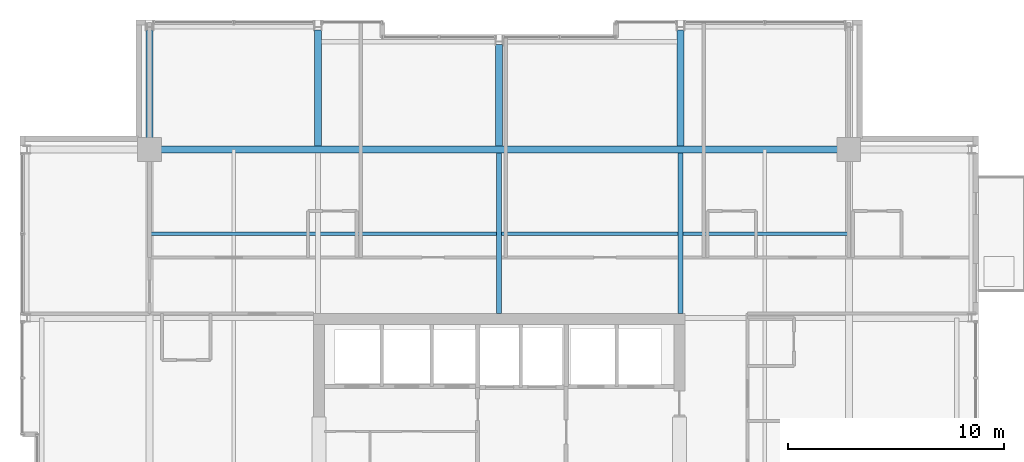
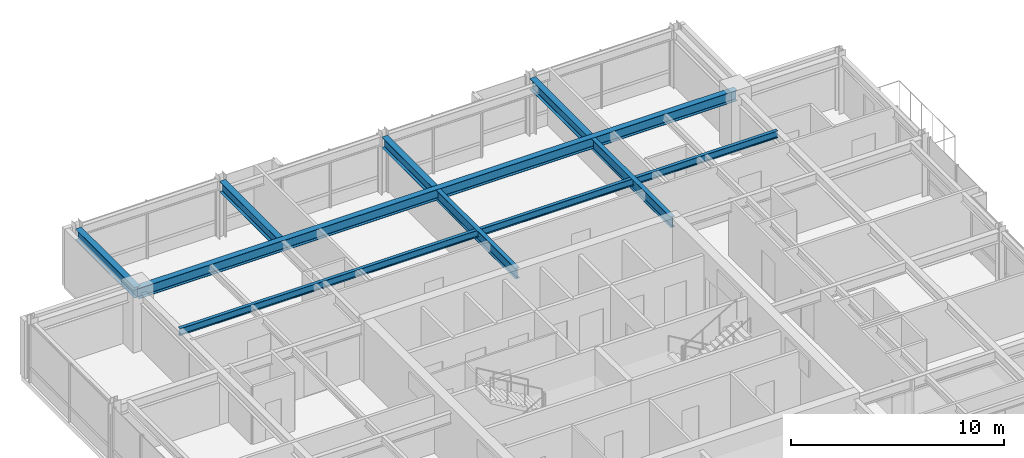
# One storey, part 21 of 34: 8 beams.
"""IFC4 building model written with IfcOpenShell, lengths in metres."""

from ifc_helpers import new_model, si_unit, direction, frame, origin, origin_2d, place, context, subcontext, project, spatial, i_section, extrude, material, material_profile, profile_set, type_object, element, save


model = new_model("IFC4")

# Units and contexts
model_context = context("Model", 3, precision=1e-05, world=origin(), true_north=direction((0.0, 1.0)))
body_context = subcontext(model_context, "Body", "Model", "MODEL_VIEW")
ifc_project = project(units=[si_unit("LENGTHUNIT", "METRE"), si_unit("AREAUNIT", "SQUARE_METRE"), si_unit("VOLUMEUNIT", "CUBIC_METRE"), si_unit("PLANEANGLEUNIT", "RADIAN"), si_unit("MASSUNIT", "GRAM", prefix="KILO")], contexts=[model_context])

# Site, building, storey
site_placement = place(None, origin())
site = spatial("IfcSite", under=ifc_project, at=site_placement, CompositionType="ELEMENT")
building_placement = place(site_placement, origin())
building = spatial("IfcBuilding", under=site, at=building_placement, Name="Drelvath Grand Hotel", CompositionType="ELEMENT")
storey_placement = place(building_placement, frame((0.0, 0.0, 251.89990234375)))
storey = spatial("IfcBuildingStorey", under=building, at=storey_placement, Name="L66", CompositionType="ELEMENT", Elevation=251.89990234375)

# Beams
ifc_material = material(Name="Steel ASTM A992 Gr 50", Category="steel")
ifc_material_profile_1 = material_profile(ifc_material, i_section(OverallWidth=0.177734375, OverallDepth=0.40673828125, WebThickness=0.0078125, FlangeThickness=0.0126953125, FilletRadius=0.014892578125, at=origin_2d()), Name="W16X40")
ifc_profile_set_1 = profile_set([ifc_material_profile_1], Name="Steel ASTM A992 Gr 50")
beam_type_1 = type_object("IfcBeamType", Name="Composite Floor Joist W16X40", PredefinedType="JOIST", material=ifc_profile_set_1)
beam_1_placement = place(storey_placement, frame((-16.199951171875, 39.300048828125, 3.0966796875), z_axis=(1.0, 0.0, 0.0), x_axis=(0.0, 1.0, 0.0)))
element("IfcBeam", 1, at=beam_1_placement, inside=storey, type_object=beam_type_1, Name="L66 Floor Joist J2", PredefinedType="JOIST", context=body_context, shape_type="SweptSolid", body=[
    extrude(i_section(OverallWidth=0.177734375, OverallDepth=0.40673828125, WebThickness=0.0078125, FlangeThickness=0.0126953125, FilletRadius=0.014892578125, at=origin_2d()), origin(), (0.0, 0.0, 1.0), 32.39990234375),
])
ifc_material_profile_2 = material_profile(ifc_material, i_section(OverallWidth=0.323974609375, OverallDepth=0.611083984375, WebThickness=0.0126953125, FlangeThickness=0.01904296875, FilletRadius=0.02197265625, at=origin_2d()), Name="W24X104")
ifc_profile_set_2 = profile_set([ifc_material_profile_2], Name="Steel ASTM A992 Gr 50")
beam_type_2 = type_object("IfcBeamType", Name="Primary Floor Girder W24X104", PredefinedType="BEAM", material=ifc_profile_set_2)
beam_2_placement = place(storey_placement, frame((-16.199951171875, 43.199951171875, 2.994384765625), z_axis=(1.0, 0.0, 0.0), x_axis=(0.0, 1.0, 0.0)))
element("IfcBeam", 2, at=beam_2_placement, inside=storey, type_object=beam_type_2, Name="L66 Mega Ring Girder North", PredefinedType="BEAM", context=body_context, shape_type="SweptSolid", body=[
    extrude(i_section(OverallWidth=0.323974609375, OverallDepth=0.611083984375, WebThickness=0.0126953125, FlangeThickness=0.01904296875, FilletRadius=0.02197265625, at=origin_2d()), origin(), (0.0, 0.0, 1.0), 32.39990234375),
])
beam_3_placement = place(storey_placement, frame((-16.199951171875, 43.199951171875, 2.994384765625), z_axis=(0.0, 1.0, 0.0), x_axis=(-1.0, 0.0, 0.0)))
element("IfcBeam", 3, at=beam_3_placement, inside=storey, type_object=beam_type_2, Name="L66 North Grid Girder 3", PredefinedType="BEAM", context=body_context, shape_type="SweptSolid", body=[
    extrude(i_section(OverallWidth=0.323974609375, OverallDepth=0.611083984375, WebThickness=0.0126953125, FlangeThickness=0.01904296875, FilletRadius=0.02197265625, at=origin_2d()), origin(), (0.0, 0.0, 1.0), 5.5400390625),
])
beam_4_placement = place(storey_placement, frame((-8.39990234375, 43.362060546875, 2.994384765625), z_axis=(0.0, 1.0, 0.0), x_axis=(-1.0, 0.0, 0.0)))
element("IfcBeam", 4, at=beam_4_placement, inside=storey, type_object=beam_type_2, Name="L66 North Wing Girder 4", PredefinedType="BEAM", context=body_context, shape_type="SweptSolid", body=[
    extrude(i_section(OverallWidth=0.323974609375, OverallDepth=0.611083984375, WebThickness=0.0126953125, FlangeThickness=0.01904296875, FilletRadius=0.02197265625, at=origin_2d()), origin(), (0.0, 0.0, 1.0), 5.3779296875),
])
beam_5_placement = place(storey_placement, frame((0.0, 43.362060546875, 2.994384765625), z_axis=(0.0, 1.0, 0.0), x_axis=(-1.0, 0.0, 0.0)))
element("IfcBeam", 5, at=beam_5_placement, inside=storey, type_object=beam_type_2, Name="L66 North Wing Girder 5", PredefinedType="BEAM", context=body_context, shape_type="SweptSolid", body=[
    extrude(i_section(OverallWidth=0.323974609375, OverallDepth=0.611083984375, WebThickness=0.0126953125, FlangeThickness=0.01904296875, FilletRadius=0.02197265625, at=origin_2d()), origin(), (0.0, 0.0, 1.0), 4.697998046875),
])
beam_6_placement = place(storey_placement, frame((8.39990234375, 43.362060546875, 2.994384765625), z_axis=(0.0, 1.0, 0.0), x_axis=(-1.0, 0.0, 0.0)))
element("IfcBeam", 6, at=beam_6_placement, inside=storey, type_object=beam_type_2, Name="L66 North Wing Girder 6", PredefinedType="BEAM", context=body_context, shape_type="SweptSolid", body=[
    extrude(i_section(OverallWidth=0.323974609375, OverallDepth=0.611083984375, WebThickness=0.0126953125, FlangeThickness=0.01904296875, FilletRadius=0.02197265625, at=origin_2d()), origin(), (0.0, 0.0, 1.0), 5.3779296875),
])
ifc_material_profile_3 = material_profile(ifc_material, i_section(OverallWidth=0.228271484375, OverallDepth=0.607666015625, WebThickness=0.01123046875, FlangeThickness=0.017333984375, FilletRadius=0.02001953125, at=origin_2d()), Name="W24X76")
ifc_profile_set_3 = profile_set([ifc_material_profile_3], Name="Steel ASTM A992 Gr 50")
beam_type_3 = type_object("IfcBeamType", Name="Primary Floor Girder W24X76", PredefinedType="BEAM", material=ifc_profile_set_3)
for number, where, z_axis, x_axis, name in (
    (7, (0.0, 35.60009765625, 2.996337890625), (0.0, 1.0, 0.0), (-1.0, 0.0, 0.0), "L66 North Core Tie 5"),
    (8, (8.39990234375, 35.60009765625, 2.996337890625), (0.0, 1.0, 0.0), (-1.0, 0.0, 0.0), "L66 North Core Tie 6"),
):
    element("IfcBeam", number, at=place(storey_placement, frame(where, z_axis=z_axis, x_axis=x_axis)), inside=storey, type_object=beam_type_3, Name=name, PredefinedType="BEAM", context=body_context, shape_type="SweptSolid", body=[
        extrude(i_section(OverallWidth=0.228271484375, OverallDepth=0.607666015625, WebThickness=0.01123046875, FlangeThickness=0.017333984375, FilletRadius=0.02001953125, at=origin_2d()), origin(), (0.0, 0.0, 1.0), 7.43798828125),
    ])

save(model, "model.ifc")
